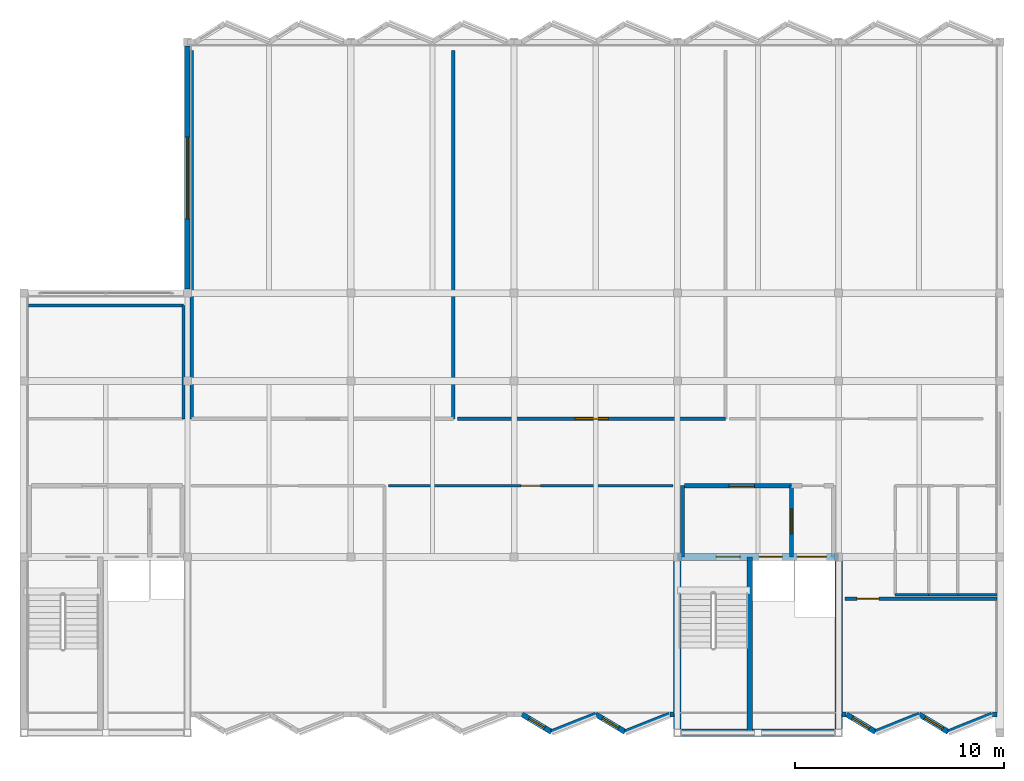
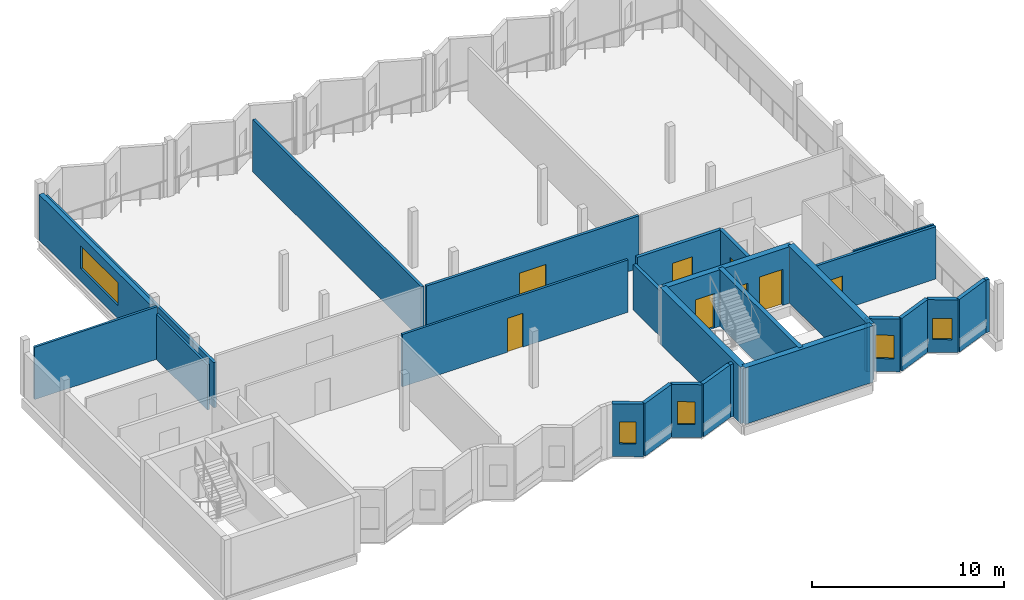
# One storey, part 5 of 11: 30 walls, 8 doors, 5 windows, 13 openings.
"""IFC4 building model written with IfcOpenShell, lengths in metres."""

from ifc_helpers import new_model, si_unit, direction, frame, frame_2d, origin, place, context, subcontext, project, spatial, rectangle, extrude, material, layer, layer_set, type_object, element, fill, save


model = new_model("IFC4")

# Units and contexts
model_context = context("Model", 3, precision=1e-05, world=origin(), true_north=direction((0.0, 1.0)))
body_context = subcontext(model_context, "Body", "Model", "MODEL_VIEW")
ifc_project = project(units=[si_unit("LENGTHUNIT", "METRE"), si_unit("AREAUNIT", "SQUARE_METRE"), si_unit("VOLUMEUNIT", "CUBIC_METRE"), si_unit("PLANEANGLEUNIT", "RADIAN"), si_unit("MASSUNIT", "GRAM", prefix="KILO")], contexts=[model_context])

# Site, building, storey
site_placement = place(None, origin())
site = spatial("IfcSite", under=ifc_project, at=site_placement, CompositionType="ELEMENT")
building_placement = place(site_placement, origin())
building = spatial("IfcBuilding", under=site, at=building_placement, Name="Vharandega Faculty of Natural Sciences", CompositionType="ELEMENT")
storey_placement = place(building_placement, frame((0.0, 0.0, 36.0)))
storey = spatial("IfcBuildingStorey", under=building, at=storey_placement, Name="L09", CompositionType="ELEMENT", Elevation=36.0)

# Walls
ifc_material_1 = material(Name="Concrete C40/50", Category="concrete")
ifc_layer_1 = layer(ifc_material_1, 0.35009765625, Name="Concrete C40/50")
ifc_layer_set_1 = layer_set([ifc_layer_1], Name="Concrete C40/50")
wall_type_1 = type_object("IfcWallType", Name="Core Shear Wall 350", PredefinedType="SHEAR", material=ifc_layer_set_1)
wall_1_placement = place(storey_placement, frame((146.0, 64.0, 0.0), z_axis=(0.0, 0.0, 1.0), x_axis=(1.0, 0.0, 0.0)))
element("IfcWall", 1, at=wall_1_placement, inside=storey, type_object=wall_type_1, Name="Interior Wall CW-C2-L09-S", PredefinedType="SHEAR", context=body_context, shape_type="SweptSolid", body=[
    extrude(rectangle(XDim=7.699951171875, YDim=0.35009765625, at=frame_2d((3.85009765625, 0.0))), origin(), (0.0, 0.0, 1.0), 3.60009765625),
])
for number, where, z_axis, x_axis, name in (
    (2, (146.0, 64.0, 0.0), (0.0, 0.0, 1.0), (0.0, 1.0, 0.0), "Interior Wall CW-C2-L09-W"),
    (3, (153.699951171875, 64.0, 0.0), (0.0, 0.0, 1.0), (0.0, 1.0, 0.0), "Interior Wall CW-C2-L09-E"),
):
    element("IfcWall", number, at=place(storey_placement, frame(where, z_axis=z_axis, x_axis=x_axis)), inside=storey, type_object=wall_type_1, Name=name, PredefinedType="SHEAR", context=body_context, shape_type="SweptSolid", body=[
        extrude(rectangle(XDim=8.39990234375, YDim=0.35009765625, at=frame_2d((4.199951171875, 0.0))), origin(), (0.0, 0.0, 1.0), 3.60009765625),
    ])

# Wall, openings, doors
wall_2_placement = place(storey_placement, frame((146.0, 72.39990234375, 0.0), z_axis=(0.0, 0.0, 1.0), x_axis=(1.0, 0.0, 0.0)))
wall_2 = element("IfcWall", 4, at=wall_2_placement, inside=storey, type_object=wall_type_1, Name="Interior Wall CW-C2-L09-N", PredefinedType="SHEAR", context=body_context, shape_type="SweptSolid", body=[
    extrude(rectangle(XDim=7.699951171875, YDim=0.35009765625, at=frame_2d((3.85009765625, 0.0))), origin(), (0.0, 0.0, 1.0), 3.60009765625),
])
opening_1_placement = place(wall_2_placement, frame((1.85009765625, 0.0, 0.0)))
opening_1 = element("IfcOpeningElement", 5, at=opening_1_placement, cuts=wall_2, Name="Opening FD1", PredefinedType="OPENING", context=body_context, shape_type="SweptSolid", body=[
    extrude(rectangle(XDim=1.14990234375, YDim=2.199951171875, at=frame_2d((0.574951171875, 1.10009765625))), frame((0.0, 0.18505859375, 0.0), z_axis=(0.0, -1.0, 0.0), x_axis=(1.0, 0.0, 0.0)), (0.0, 0.0, 1.0), 0.3701171875),
])
opening_2_placement = place(wall_2_placement, frame((3.89990234375, 0.0, 0.0)))
opening_2 = element("IfcOpeningElement", 6, at=opening_2_placement, cuts=wall_2, Name="Opening LD-FL2-L09", PredefinedType="OPENING", context=body_context, shape_type="SweptSolid", body=[
    extrude(rectangle(XDim=1.10009765625, YDim=2.14990234375, at=frame_2d((0.550048828125, 1.074951171875))), frame((0.0, 0.18505859375, 0.0), z_axis=(0.0, -1.0, 0.0), x_axis=(1.0, 0.0, 0.0)), (0.0, 0.0, 1.0), 0.3701171875),
])
opening_3_placement = place(wall_2_placement, frame((5.719970703125, 0.0, 0.0)))
opening_3 = element("IfcOpeningElement", 7, at=opening_3_placement, cuts=wall_2, Name="Opening LD-LG1-L09", PredefinedType="OPENING", context=body_context, shape_type="SweptSolid", body=[
    extrude(rectangle(XDim=1.39990234375, YDim=2.300048828125, at=frame_2d((0.699951171875, 1.14990234375))), frame((0.0, 0.18505859375, 0.0), z_axis=(0.0, -1.0, 0.0), x_axis=(1.0, 0.0, 0.0)), (0.0, 0.0, 1.0), 0.3701171875),
])
ifc_material_2 = material(Name="Solid-core hardwood timber fire door", Category="wood")
door_type_1 = type_object("IfcDoorType", Name="FD1-STAIR-1150x2200", OperationType="NOTDEFINED", PredefinedType="DOOR", material=ifc_material_2)
door_1_placement = place(opening_1_placement, origin())
door_1 = element("IfcDoor", 8, at=door_1_placement, inside=storey, type_object=door_type_1, Name="Stair ST2 Fire Door FD1", OperationType="SINGLE_SWING_LEFT", OverallHeight=2.199951171875, OverallWidth=1.14990234375, PredefinedType="DOOR", context=body_context, shape_type="SweptSolid", body=[
    extrude(rectangle(XDim=1.14990234375, YDim=2.199951171875, at=frame_2d((0.574951171875, 1.10009765625))), frame((0.0, 0.02490234375, 0.0), z_axis=(0.0, -1.0, 0.0), x_axis=(1.0, 0.0, 0.0)), (0.0, 0.0, 1.0), 0.050048828125),
])
fill(opening_1, door_1)
ifc_material_3 = material(Name="Brushed stainless steel sliding landing door", Category="steel")
door_type_2 = type_object("IfcDoorType", Name="LD1-FFLIFT-SLIDING-1100x2150", OperationType="DOUBLE_DOOR_SLIDING", PredefinedType="DOOR", material=ifc_material_3)
door_2_placement = place(opening_2_placement, origin())
door_2 = element("IfcDoor", 9, at=door_2_placement, inside=storey, type_object=door_type_2, Name="Lift Landing Door LD-FL2-L09", OperationType="DOUBLE_DOOR_SLIDING", OverallHeight=2.14990234375, OverallWidth=1.10009765625, PredefinedType="DOOR", context=body_context, shape_type="SweptSolid", body=[
    extrude(rectangle(XDim=1.10009765625, YDim=2.14990234375, at=frame_2d((0.550048828125, 1.074951171875))), frame((0.0, 0.02490234375, 0.0), z_axis=(0.0, -1.0, 0.0), x_axis=(1.0, 0.0, 0.0)), (0.0, 0.0, 1.0), 0.050048828125),
])
fill(opening_2, door_2)
ifc_material_4 = material(Name="Brushed stainless steel sliding landing door", Category="steel")
door_type_3 = type_object("IfcDoorType", Name="LD3-GOODSLIFT-SLIDING-1400x2300", OperationType="DOUBLE_DOOR_SLIDING", PredefinedType="DOOR", material=ifc_material_4)
door_3_placement = place(opening_3_placement, origin())
door_3 = element("IfcDoor", 10, at=door_3_placement, inside=storey, type_object=door_type_3, Name="Lift Landing Door LD-LG1-L09", OperationType="DOUBLE_DOOR_SLIDING", OverallHeight=2.300048828125, OverallWidth=1.39990234375, PredefinedType="DOOR", context=body_context, shape_type="SweptSolid", body=[
    extrude(rectangle(XDim=1.39990234375, YDim=2.300048828125, at=frame_2d((0.699951171875, 1.14990234375))), frame((0.0, 0.02490234375, 0.0), z_axis=(0.0, -1.0, 0.0), x_axis=(1.0, 0.0, 0.0)), (0.0, 0.0, 1.0), 0.050048828125),
])
fill(opening_3, door_3)

# Wall, opening, door
ifc_material_5 = material(Name="Concrete C40/50", Category="concrete")
ifc_layer_2 = layer(ifc_material_5, 0.199951171875, Name="Concrete C40/50")
ifc_layer_set_2 = layer_set([ifc_layer_2], Name="Concrete C40/50")
wall_type_2 = type_object("IfcWallType", Name="Firefighting Lobby Wall 200", PredefinedType="PARTITIONING", material=ifc_layer_set_2)
wall_3_placement = place(storey_placement, frame((146.35009765625, 75.800048828125, 0.0), z_axis=(0.0, 0.0, 1.0), x_axis=(1.0, 0.0, 0.0)))
wall_3 = element("IfcWall", 11, at=wall_3_placement, inside=storey, type_object=wall_type_2, Name="Interior Wall PW-FFL-C2-L09-N", PredefinedType="PARTITIONING", context=body_context, shape_type="SweptSolid", body=[
    extrude(rectangle(XDim=5.099853515625, YDim=0.199951171875, at=frame_2d((2.5498046875, 0.0))), origin(), (0.0, 0.0, 1.0), 3.320068359375),
])
opening_4_placement = place(wall_3_placement, frame((2.125, 0.0, 0.0)))
opening_4 = element("IfcOpeningElement", 12, at=opening_4_placement, cuts=wall_3, Name="Opening FD2", PredefinedType="OPENING", context=body_context, shape_type="SweptSolid", body=[
    extrude(rectangle(XDim=1.199951171875, YDim=2.199951171875, at=frame_2d((0.60009765625, 1.10009765625))), frame((0.0, 0.10986328125, 0.0), z_axis=(0.0, -1.0, 0.0), x_axis=(1.0, 0.0, 0.0)), (0.0, 0.0, 1.0), 0.219970703125),
])
ifc_material_6 = material(Name="Solid-core hardwood timber fire door", Category="wood")
door_type_4 = type_object("IfcDoorType", Name="FD2-FFLOBBY-1200x2200", OperationType="NOTDEFINED", PredefinedType="DOOR", material=ifc_material_6)
door_4_placement = place(opening_4_placement, origin())
door_4 = element("IfcDoor", 13, at=door_4_placement, inside=storey, type_object=door_type_4, Name="Firefighting Lobby C2 Door FD2", OperationType="SINGLE_SWING_LEFT", OverallHeight=2.199951171875, OverallWidth=1.199951171875, PredefinedType="DOOR", context=body_context, shape_type="SweptSolid", body=[
    extrude(rectangle(XDim=1.199951171875, YDim=2.199951171875, at=frame_2d((0.60009765625, 1.10009765625))), frame((0.0, 0.02490234375, 0.0), z_axis=(0.0, -1.0, 0.0), x_axis=(1.0, 0.0, 0.0)), (0.0, 0.0, 1.0), 0.050048828125),
])
fill(opening_4, door_4)

# Wall
wall_4_placement = place(storey_placement, frame((146.25, 72.39990234375, 0.0), z_axis=(0.0, 0.0, 1.0), x_axis=(0.0, 1.0, 0.0)))
element("IfcWall", 14, at=wall_4_placement, inside=storey, type_object=wall_type_2, Name="Interior Wall PW-FFL-C2-L09-W", PredefinedType="PARTITIONING", context=body_context, shape_type="SweptSolid", body=[
    extrude(rectangle(XDim=3.400146484375, YDim=0.199951171875, at=frame_2d((1.7001953125, 0.0))), origin(), (0.0, 0.0, 1.0), 2.8798828125),
])

# Wall, opening, door
wall_5_placement = place(storey_placement, frame((151.449951171875, 72.39990234375, 0.0), z_axis=(0.0, 0.0, 1.0), x_axis=(0.0, 1.0, 0.0)))
wall_5 = element("IfcWall", 15, at=wall_5_placement, inside=storey, type_object=wall_type_2, Name="Interior Wall PW-FFL-C2-L09-E", PredefinedType="PARTITIONING", context=body_context, shape_type="SweptSolid", body=[
    extrude(rectangle(XDim=3.400146484375, YDim=0.199951171875, at=frame_2d((1.7001953125, 0.0))), origin(), (0.0, 0.0, 1.0), 3.320068359375),
])
opening_5_placement = place(wall_5_placement, frame((1.10009765625, 0.0, 0.0)))
opening_5 = element("IfcOpeningElement", 16, at=opening_5_placement, cuts=wall_5, Name="Opening FD2", PredefinedType="OPENING", context=body_context, shape_type="SweptSolid", body=[
    extrude(rectangle(XDim=1.199951171875, YDim=2.199951171875, at=frame_2d((0.60009765625, 1.10009765625))), frame((0.0, 0.10986328125, 0.0), z_axis=(0.0, -1.0, 0.0), x_axis=(1.0, 0.0, 0.0)), (0.0, 0.0, 1.0), 0.219970703125),
])
door_5_placement = place(opening_5_placement, origin())
door_5 = element("IfcDoor", 17, at=door_5_placement, inside=storey, type_object=door_type_4, Name="Lobby Interconnect C2 Door FD2", OperationType="SINGLE_SWING_RIGHT", OverallHeight=2.199951171875, OverallWidth=1.199951171875, PredefinedType="DOOR", context=body_context, shape_type="SweptSolid", body=[
    extrude(rectangle(XDim=1.199951171875, YDim=2.199951171875, at=frame_2d((0.60009765625, 1.10009765625))), frame((0.0, 0.02490234375, 0.0), z_axis=(0.0, -1.0, 0.0), x_axis=(1.0, 0.0, 0.0)), (0.0, 0.0, 1.0), 0.050048828125),
])
fill(opening_5, door_5)

ifc_material_7 = material(Name="Gypsum fire-board on steel stud", Category="steel")
ifc_layer_3 = layer(ifc_material_7, 0.159912109375, Name="Gypsum fire-board on steel stud")
ifc_layer_set_3 = layer_set([ifc_layer_3], Name="Gypsum fire-board on steel stud")
wall_type_3 = type_object("IfcWallType", Name="Laboratory Fire Corridor Wall 160", PredefinedType="PARTITIONING", material=ifc_layer_set_3)
wall_6_placement = place(storey_placement, frame((154.0, 70.39990234375, 0.0), z_axis=(0.0, 0.0, 1.0), x_axis=(1.0, 0.0, 0.0)))
wall_6 = element("IfcWall", 18, at=wall_6_placement, inside=storey, type_object=wall_type_3, Name="Interior Wall PW-L09-R07N", PredefinedType="PARTITIONING", context=body_context, shape_type="SweptSolid", body=[
    extrude(rectangle(XDim=7.260009765625, YDim=0.159912109375, at=frame_2d((3.6298828125, 0.0))), origin(), (0.0, 0.0, 1.0), 3.340087890625),
])
opening_6_placement = place(wall_6_placement, frame((0.574951171875, 0.0, 0.0)))
opening_6 = element("IfcOpeningElement", 19, at=opening_6_placement, cuts=wall_6, Name="Opening FD4", PredefinedType="OPENING", context=body_context, shape_type="SweptSolid", body=[
    extrude(rectangle(XDim=1.050048828125, YDim=2.14990234375, at=frame_2d((0.52490234375, 1.074951171875))), frame((0.0, 0.08984375, 0.0), z_axis=(0.0, -1.0, 0.0), x_axis=(1.0, 0.0, 0.0)), (0.0, 0.0, 1.0), 0.179931640625),
])
ifc_material_8 = material(Name="Solid-core hardwood timber fire door", Category="wood")
door_type_5 = type_object("IfcDoorType", Name="FD4-LAB-SGL-1050x2150", OperationType="NOTDEFINED", PredefinedType="DOOR", material=ifc_material_8)
door_6_placement = place(opening_6_placement, origin())
door_6 = element("IfcDoor", 20, at=door_6_placement, inside=storey, type_object=door_type_5, Name="L09 Laboratory Reagent Store Door FD4", OperationType="SINGLE_SWING_LEFT", OverallHeight=2.14990234375, OverallWidth=1.050048828125, PredefinedType="DOOR", context=body_context, shape_type="SweptSolid", body=[
    extrude(rectangle(XDim=1.050048828125, YDim=2.14990234375, at=frame_2d((0.52490234375, 1.074951171875))), frame((0.0, 0.02490234375, 0.0), z_axis=(0.0, -1.0, 0.0), x_axis=(1.0, 0.0, 0.0)), (0.0, 0.0, 1.0), 0.050048828125),
])
fill(opening_6, door_6)

# Walls
wall_7_placement = place(storey_placement, frame((122.800048828125, 79.0, 0.0), z_axis=(0.0, 0.0, 1.0), x_axis=(0.0, 1.0, 0.0)))
element("IfcWall", 21, at=wall_7_placement, inside=storey, type_object=wall_type_3, Name="Interior Wall PW-L09-R08W", PredefinedType="PARTITIONING", context=body_context, shape_type="SweptSolid", body=[
    extrude(rectangle(XDim=17.60009765625, YDim=0.159912109375, at=frame_2d((8.800048828125, 0.0))), origin(), (0.0, 0.0, 1.0), 2.8798828125),
])
wall_8_placement = place(storey_placement, frame((135.300048828125, 79.0, 0.0), z_axis=(0.0, 0.0, 1.0), x_axis=(0.0, 1.0, 0.0)))
element("IfcWall", 22, at=wall_8_placement, inside=storey, type_object=wall_type_3, Name="Interior Wall PW-L09-R08E", PredefinedType="PARTITIONING", context=body_context, shape_type="SweptSolid", body=[
    extrude(rectangle(XDim=17.60009765625, YDim=0.159912109375, at=frame_2d((8.800048828125, 0.0))), origin(), (0.0, 0.0, 1.0), 3.340087890625),
])

# Wall, opening, door
wall_9_placement = place(storey_placement, frame((135.5, 79.0, 0.0), z_axis=(0.0, 0.0, 1.0), x_axis=(1.0, 0.0, 0.0)))
wall_9 = element("IfcWall", 23, at=wall_9_placement, inside=storey, type_object=wall_type_3, Name="Interior Wall PW-L09-R09S", PredefinedType="PARTITIONING", context=body_context, shape_type="SweptSolid", body=[
    extrude(rectangle(XDim=12.800048828125, YDim=0.159912109375, at=frame_2d((6.39990234375, 0.0))), origin(), (0.0, 0.0, 1.0), 3.340087890625),
])
opening_7_placement = place(wall_9_placement, frame((5.60009765625, 0.0, 0.0)))
opening_7 = element("IfcOpeningElement", 24, at=opening_7_placement, cuts=wall_9, Name="Opening FD3", PredefinedType="OPENING", context=body_context, shape_type="SweptSolid", body=[
    extrude(rectangle(XDim=1.60009765625, YDim=2.199951171875, at=frame_2d((0.800048828125, 1.10009765625))), frame((0.0, 0.08984375, 0.0), z_axis=(0.0, -1.0, 0.0), x_axis=(1.0, 0.0, 0.0)), (0.0, 0.0, 1.0), 0.179931640625),
])
ifc_material_9 = material(Name="Solid-core hardwood timber fire door", Category="wood")
door_type_6 = type_object("IfcDoorType", Name="FD3-LAB-DBL-1600x2200", OperationType="DOUBLE_DOOR_SINGLE_SWING", PredefinedType="DOOR", material=ifc_material_9)
door_7_placement = place(opening_7_placement, origin())
door_7 = element("IfcDoor", 25, at=door_7_placement, inside=storey, type_object=door_type_6, Name="Plant Physiology Growth-Chamber Laboratory Door FD3", OperationType="DOUBLE_DOOR_SINGLE_SWING", OverallHeight=2.199951171875, OverallWidth=1.60009765625, PredefinedType="DOOR", context=body_context, shape_type="SweptSolid", body=[
    extrude(rectangle(XDim=1.60009765625, YDim=2.199951171875, at=frame_2d((0.800048828125, 1.10009765625))), frame((0.0, 0.02490234375, 0.0), z_axis=(0.0, -1.0, 0.0), x_axis=(1.0, 0.0, 0.0)), (0.0, 0.0, 1.0), 0.050048828125),
])
fill(opening_7, door_7)

# Walls
ifc_material_10 = material(Name="Concrete C40/50", Category="concrete")
ifc_layer_4 = layer(ifc_material_10, 0.260009765625, Name="Concrete C40/50")
ifc_layer_set_4 = layer_set([ifc_layer_4], Name="Concrete C40/50")
wall_type_4 = type_object("IfcWallType", Name="Lift Shaft Shear Wall 260", PredefinedType="SHEAR", material=ifc_layer_set_4)
wall_10_placement = place(storey_placement, frame((149.4599609375, 64.0, 0.0), z_axis=(0.0, 0.0, 1.0), x_axis=(0.0, 1.0, 0.0)))
element("IfcWall", 26, at=wall_10_placement, inside=storey, type_object=wall_type_4, Name="Interior Wall CW-C2-L09-DIV", PredefinedType="SHEAR", context=body_context, shape_type="SweptSolid", body=[
    extrude(rectangle(XDim=8.39990234375, YDim=0.260009765625, at=frame_2d((4.199951171875, 0.0))), origin(), (0.0, 0.0, 1.0), 3.60009765625),
])
ifc_material_11 = material(Name="Gypsum acoustic partition", Category="gypsum")
ifc_layer_5 = layer(ifc_material_11, 0.139892578125, Name="Gypsum acoustic partition")
ifc_layer_set_5 = layer_set([ifc_layer_5], Name="Gypsum acoustic partition")
wall_type_5 = type_object("IfcWallType", Name="Room Partition Wall 140", PredefinedType="PARTITIONING", material=ifc_layer_set_5)
wall_11_placement = place(storey_placement, frame((115.0, 84.39990234375, 0.0), z_axis=(0.0, 0.0, 1.0), x_axis=(1.0, 0.0, 0.0)))
element("IfcWall", 27, at=wall_11_placement, inside=storey, type_object=wall_type_5, Name="Interior Wall PW-L09-R01N", PredefinedType="PARTITIONING", context=body_context, shape_type="SweptSolid", body=[
    extrude(rectangle(XDim=7.39990234375, YDim=0.139892578125, at=frame_2d((3.699951171875, 0.0))), origin(), (0.0, 0.0, 1.0), 3.340087890625),
])
wall_12_placement = place(storey_placement, frame((122.39990234375, 79.0, 0.0), z_axis=(0.0, 0.0, 1.0), x_axis=(0.0, 1.0, 0.0)))
element("IfcWall", 28, at=wall_12_placement, inside=storey, type_object=wall_type_5, Name="Interior Wall PW-L09-R01E", PredefinedType="PARTITIONING", context=body_context, shape_type="SweptSolid", body=[
    extrude(rectangle(XDim=5.39990234375, YDim=0.139892578125, at=frame_2d((2.699951171875, 0.0))), origin(), (0.0, 0.0, 1.0), 2.8798828125),
])

# Wall, opening, door
wall_13_placement = place(storey_placement, frame((132.199951171875, 75.800048828125, 0.0), z_axis=(0.0, 0.0, 1.0), x_axis=(1.0, 0.0, 0.0)))
wall_13 = element("IfcWall", 29, at=wall_13_placement, inside=storey, type_object=wall_type_5, Name="Interior Wall PW-L09-R03N", PredefinedType="PARTITIONING", context=body_context, shape_type="SweptSolid", body=[
    extrude(rectangle(XDim=13.60009765625, YDim=0.139892578125, at=frame_2d((6.800048828125, 0.0))), origin(), (0.0, 0.0, 1.0), 3.340087890625),
])
opening_8_placement = place(wall_13_placement, frame((6.340087890625, 0.0, 0.0)))
opening_8 = element("IfcOpeningElement", 30, at=opening_8_placement, cuts=wall_13, Name="Opening D0364", PredefinedType="OPENING", context=body_context, shape_type="SweptSolid", body=[
    extrude(rectangle(XDim=0.919921875, YDim=2.14990234375, at=frame_2d((0.4599609375, 1.074951171875))), frame((0.0, 0.080078125, 0.0), z_axis=(0.0, -1.0, 0.0), x_axis=(1.0, 0.0, 0.0)), (0.0, 0.0, 1.0), 0.159912109375),
])
ifc_material_12 = material(Name="Solid-core hardwood timber fire door", Category="wood")
door_type_7 = type_object("IfcDoorType", Name="ID05-OFFICE-0920x2150", OperationType="NOTDEFINED", PredefinedType="DOOR", material=ifc_material_12)
door_8_placement = place(opening_8_placement, origin())
door_8 = element("IfcDoor", 31, at=door_8_placement, inside=storey, type_object=door_type_7, Name="Natural-Sciences Seminar Room 901 Door D0364", OperationType="SINGLE_SWING_LEFT", OverallHeight=2.14990234375, OverallWidth=0.919921875, PredefinedType="DOOR", context=body_context, shape_type="SweptSolid", body=[
    extrude(rectangle(XDim=0.919921875, YDim=2.14990234375, at=frame_2d((0.4599609375, 1.074951171875))), frame((0.0, 0.02490234375, 0.0), z_axis=(0.0, -1.0, 0.0), x_axis=(1.0, 0.0, 0.0)), (0.0, 0.0, 1.0), 0.050048828125),
])
fill(opening_8, door_8)

# Walls
ifc_material_13 = material(Name="Moisture-resistant gypsum partition", Category="gypsum")
ifc_layer_6 = layer(ifc_material_13, 0.1201171875, Name="Moisture-resistant gypsum partition")
ifc_layer_set_6 = layer_set([ifc_layer_6], Name="Moisture-resistant gypsum partition")
wall_type_6 = type_object("IfcWallType", Name="Sanitary Wet Wall 120", PredefinedType="PARTITIONING", material=ifc_layer_set_6)
wall_14_placement = place(storey_placement, frame((156.39990234375, 70.60009765625, 0.0), z_axis=(0.0, 0.0, 1.0), x_axis=(1.0, 0.0, 0.0)))
element("IfcWall", 32, at=wall_14_placement, inside=storey, type_object=wall_type_6, Name="Interior Wall PW-L09-R04S", PredefinedType="PARTITIONING", context=body_context, shape_type="SweptSolid", body=[
    extrude(rectangle(XDim=1.60009765625, YDim=0.1201171875, at=frame_2d((0.800048828125, 0.0))), origin(), (0.0, 0.0, 1.0), 3.340087890625),
])
wall_15_placement = place(storey_placement, frame((158.0, 70.60009765625, 0.0), z_axis=(0.0, 0.0, 1.0), x_axis=(1.0, 0.0, 0.0)))
element("IfcWall", 33, at=wall_15_placement, inside=storey, type_object=wall_type_6, Name="Interior Wall PW-L09-R05S", PredefinedType="PARTITIONING", context=body_context, shape_type="SweptSolid", body=[
    extrude(rectangle(XDim=1.39990234375, YDim=0.1201171875, at=frame_2d((0.699951171875, 0.0))), origin(), (0.0, 0.0, 1.0), 3.340087890625),
])
wall_16_placement = place(storey_placement, frame((159.39990234375, 70.60009765625, 0.0), z_axis=(0.0, 0.0, 1.0), x_axis=(1.0, 0.0, 0.0)))
element("IfcWall", 34, at=wall_16_placement, inside=storey, type_object=wall_type_6, Name="Interior Wall PW-L09-R06S", PredefinedType="PARTITIONING", context=body_context, shape_type="SweptSolid", body=[
    extrude(rectangle(XDim=1.860107421875, YDim=0.1201171875, at=frame_2d((0.93017578125, 0.0))), origin(), (0.0, 0.0, 1.0), 3.340087890625),
])

# Wall, opening, window
ifc_material_14 = material(Name="Precast concrete C40/50", Category="concrete")
ifc_layer_7 = layer(ifc_material_14, 0.25, Name="Precast concrete C40/50")
ifc_layer_set_7 = layer_set([ifc_layer_7], Name="Precast concrete C40/50")
wall_type_7 = type_object("IfcWallType", Name="Sawtooth Glazed-Face Precast Wall 250", PredefinedType="SOLIDWALL", material=ifc_layer_set_7)
wall_17_placement = place(storey_placement, frame((139.988037109375, 64.0400390625, 0.0), z_axis=(0.0, 0.0, 1.0), x_axis=(-0.858817206091, 0.512282155185, 0.0)))
wall_17 = element("IfcWall", 35, at=wall_17_placement, inside=storey, type_object=wall_type_7, Name="Exterior Wall EW-SAW-L09-S05G", PredefinedType="SOLIDWALL", context=body_context, shape_type="SweptSolid", body=[
    extrude(rectangle(XDim=1.639404296875, YDim=0.25, at=frame_2d((0.81982421875, 0.0))), origin(), (0.0, 0.0, 1.0), 3.360107421875),
])
opening_9_placement = place(wall_17_placement, frame((0.394775390625, 0.0, 0.820068359375)))
opening_9 = element("IfcOpeningElement", 36, at=opening_9_placement, cuts=wall_17, Name="Opening WN-02", PredefinedType="OPENING", context=body_context, shape_type="SweptSolid", body=[
    extrude(rectangle(XDim=0.85009765625, YDim=1.39990234375, at=frame_2d((0.425048828125, 0.699951171875))), frame((0.0, 0.135009765625, 0.0), z_axis=(0.0, -1.0, 0.0), x_axis=(1.0, 0.0, 0.0)), (0.0, 0.0, 1.0), 0.27001953125),
])
ifc_material_15 = material(Name="Double-glazed solar-control glass in thermally broken aluminium frame", Category="aluminium")
window_type_1 = type_object("IfcWindowType", Name="WIN-SAW-085x140", PartitioningType="SINGLE_PANEL", PredefinedType="WINDOW", material=ifc_material_15)
window_1_placement = place(opening_9_placement, origin())
window_1 = element("IfcWindow", 37, at=window_1_placement, inside=storey, type_object=window_type_1, Name="Window WIN-L09-0103", OverallHeight=1.39990234375, OverallWidth=0.85009765625, PartitioningType="SINGLE_PANEL", PredefinedType="WINDOW", context=body_context, shape_type="SweptSolid", body=[
    extrude(rectangle(XDim=0.85009765625, YDim=1.39990234375, at=frame_2d((0.425048828125, 0.699951171875))), frame((0.0, 0.030029296875, 0.0), z_axis=(0.0, -1.0, 0.0), x_axis=(1.0, 0.0, 0.0)), (0.0, 0.0, 1.0), 0.06005859375),
])
fill(opening_9, window_1)

wall_18_placement = place(storey_placement, frame((143.508056640625, 64.0400390625, 0.0), z_axis=(0.0, 0.0, 1.0), x_axis=(-0.858817206091, 0.512282155185, 0.0)))
wall_18 = element("IfcWall", 38, at=wall_18_placement, inside=storey, type_object=wall_type_7, Name="Exterior Wall EW-SAW-L09-S06G", PredefinedType="SOLIDWALL", context=body_context, shape_type="SweptSolid", body=[
    extrude(rectangle(XDim=1.639404296875, YDim=0.25, at=frame_2d((0.81982421875, 0.0))), origin(), (0.0, 0.0, 1.0), 3.360107421875),
])
opening_10_placement = place(wall_18_placement, frame((0.369873046875, 0.0, 0.820068359375)))
opening_10 = element("IfcOpeningElement", 39, at=opening_10_placement, cuts=wall_18, Name="Opening WN-03", PredefinedType="OPENING", context=body_context, shape_type="SweptSolid", body=[
    extrude(rectangle(XDim=0.89990234375, YDim=1.449951171875, at=frame_2d((0.449951171875, 0.72509765625))), frame((0.0, 0.135009765625, 0.0), z_axis=(0.0, -1.0, 0.0), x_axis=(1.0, 0.0, 0.0)), (0.0, 0.0, 1.0), 0.27001953125),
])
ifc_material_16 = material(Name="Double-glazed solar-control glass in thermally broken aluminium frame", Category="aluminium")
window_type_2 = type_object("IfcWindowType", Name="WIN-SAW-090x145", PartitioningType="SINGLE_PANEL", PredefinedType="WINDOW", material=ifc_material_16)
window_2_placement = place(opening_10_placement, origin())
window_2 = element("IfcWindow", 40, at=window_2_placement, inside=storey, type_object=window_type_2, Name="Window WIN-L09-0104", OverallHeight=1.449951171875, OverallWidth=0.89990234375, PartitioningType="SINGLE_PANEL", PredefinedType="WINDOW", context=body_context, shape_type="SweptSolid", body=[
    extrude(rectangle(XDim=0.89990234375, YDim=1.449951171875, at=frame_2d((0.449951171875, 0.72509765625))), frame((0.0, 0.030029296875, 0.0), z_axis=(0.0, -1.0, 0.0), x_axis=(1.0, 0.0, 0.0)), (0.0, 0.0, 1.0), 0.06005859375),
])
fill(opening_10, window_2)

wall_19_placement = place(storey_placement, frame((155.468017578125, 64.0400390625, 0.0), z_axis=(0.0, 0.0, 1.0), x_axis=(-0.855561475997, 0.51770122734, 0.0)))
wall_19 = element("IfcWall", 41, at=wall_19_placement, inside=storey, type_object=wall_type_7, Name="Exterior Wall EW-SAW-L09-S07G", PredefinedType="SOLIDWALL", context=body_context, shape_type="SweptSolid", body=[
    extrude(rectangle(XDim=1.622314453125, YDim=0.25, at=frame_2d((0.81103515625, 0.0))), origin(), (0.0, 0.0, 1.0), 3.360107421875),
])
opening_11_placement = place(wall_19_placement, frame((0.336181640625, 0.0, 0.820068359375)))
opening_11 = element("IfcOpeningElement", 42, at=opening_11_placement, cuts=wall_19, Name="Opening WN-04", PredefinedType="OPENING", context=body_context, shape_type="SweptSolid", body=[
    extrude(rectangle(XDim=0.949951171875, YDim=1.5, at=frame_2d((0.47509765625, 0.75))), frame((0.0, 0.135009765625, 0.0), z_axis=(0.0, -1.0, 0.0), x_axis=(1.0, 0.0, 0.0)), (0.0, 0.0, 1.0), 0.27001953125),
])
ifc_material_17 = material(Name="Double-glazed solar-control glass in thermally broken aluminium frame", Category="aluminium")
window_type_3 = type_object("IfcWindowType", Name="WIN-SAW-095x150", PartitioningType="SINGLE_PANEL", PredefinedType="WINDOW", material=ifc_material_17)
window_3_placement = place(opening_11_placement, origin())
window_3 = element("IfcWindow", 43, at=window_3_placement, inside=storey, type_object=window_type_3, Name="Window WIN-L09-0105", OverallHeight=1.5, OverallWidth=0.949951171875, PartitioningType="SINGLE_PANEL", PredefinedType="WINDOW", context=body_context, shape_type="SweptSolid", body=[
    extrude(rectangle(XDim=0.949951171875, YDim=1.5, at=frame_2d((0.47509765625, 0.75))), frame((0.0, 0.030029296875, 0.0), z_axis=(0.0, -1.0, 0.0), x_axis=(1.0, 0.0, 0.0)), (0.0, 0.0, 1.0), 0.06005859375),
])
fill(opening_11, window_3)

wall_20_placement = place(storey_placement, frame((158.93798828125, 64.0400390625, 0.0), z_axis=(0.0, 0.0, 1.0), x_axis=(-0.855561475997, 0.51770122734, 0.0)))
wall_20 = element("IfcWall", 44, at=wall_20_placement, inside=storey, type_object=wall_type_7, Name="Exterior Wall EW-SAW-L09-S08G", PredefinedType="SOLIDWALL", context=body_context, shape_type="SweptSolid", body=[
    extrude(rectangle(XDim=1.622314453125, YDim=0.25, at=frame_2d((0.81103515625, 0.0))), origin(), (0.0, 0.0, 1.0), 3.360107421875),
])
opening_12_placement = place(wall_20_placement, frame((0.311279296875, 0.0, 0.820068359375)))
opening_12 = element("IfcOpeningElement", 45, at=opening_12_placement, cuts=wall_20, Name="Opening WN-05", PredefinedType="OPENING", context=body_context, shape_type="SweptSolid", body=[
    extrude(rectangle(XDim=1.0, YDim=1.35009765625, at=frame_2d((0.5, 0.675048828125))), frame((0.0, 0.135009765625, 0.0), z_axis=(0.0, -1.0, 0.0), x_axis=(1.0, 0.0, 0.0)), (0.0, 0.0, 1.0), 0.27001953125),
])
ifc_material_18 = material(Name="Double-glazed solar-control glass in thermally broken aluminium frame", Category="aluminium")
window_type_4 = type_object("IfcWindowType", Name="WIN-SAW-100x135", PartitioningType="SINGLE_PANEL", PredefinedType="WINDOW", material=ifc_material_18)
window_4_placement = place(opening_12_placement, origin())
window_4 = element("IfcWindow", 46, at=window_4_placement, inside=storey, type_object=window_type_4, Name="Window WIN-L09-0106", OverallHeight=1.35009765625, OverallWidth=1.0, PartitioningType="SINGLE_PANEL", PredefinedType="WINDOW", context=body_context, shape_type="SweptSolid", body=[
    extrude(rectangle(XDim=1.0, YDim=1.35009765625, at=frame_2d((0.5, 0.675048828125))), frame((0.0, 0.030029296875, 0.0), z_axis=(0.0, -1.0, 0.0), x_axis=(1.0, 0.0, 0.0)), (0.0, 0.0, 1.0), 0.06005859375),
])
fill(opening_12, window_4)

# Walls
ifc_material_19 = material(Name="Precast concrete C40/50", Category="concrete")
ifc_layer_8 = layer(ifc_material_19, 0.22998046875, Name="Precast concrete C40/50")
ifc_layer_set_8 = layer_set([ifc_layer_8], Name="Precast concrete C40/50")
wall_type_8 = type_object("IfcWallType", Name="Sawtooth Solid White Precast Wall 230", PredefinedType="SOLIDWALL", material=ifc_layer_set_8)
wall_21_placement = place(storey_placement, frame((145.830078125, 64.8798828125, 0.0), z_axis=(0.0, 0.0, 1.0), x_axis=(-1.0, 0.0, 0.0)))
element("IfcWall", 47, at=wall_21_placement, inside=storey, type_object=wall_type_8, Name="Exterior Wall EW-SHL-L09-S1819FR", PredefinedType="SOLIDWALL", context=body_context, shape_type="SweptSolid", body=[
    extrude(rectangle(XDim=0.190185546875, YDim=0.22998046875, at=frame_2d((0.09521484375, 0.0))), origin(), (0.0, 0.0, 1.0), 3.360107421875),
])
wall_22_placement = place(storey_placement, frame((154.050048828125, 64.8798828125, 0.0), z_axis=(0.0, 0.0, 1.0), x_axis=(-1.0, 0.0, 0.0)))
element("IfcWall", 48, at=wall_22_placement, inside=storey, type_object=wall_type_8, Name="Exterior Wall EW-SHL-L09-S2021FL", PredefinedType="SOLIDWALL", context=body_context, shape_type="SweptSolid", body=[
    extrude(rectangle(XDim=0.179931640625, YDim=0.22998046875, at=frame_2d((0.08984375, 0.0))), origin(), (0.0, 0.0, 1.0), 3.360107421875),
])
wall_23_placement = place(storey_placement, frame((161.264892578125, 64.8798828125, 0.0), z_axis=(0.0, 0.0, 1.0), x_axis=(-1.0, 0.0, 0.0)))
element("IfcWall", 49, at=wall_23_placement, inside=storey, type_object=wall_type_8, Name="Exterior Wall EW-SHL-L09-S2021FR", PredefinedType="SOLIDWALL", context=body_context, shape_type="SweptSolid", body=[
    extrude(rectangle(XDim=0.224853515625, YDim=0.22998046875, at=frame_2d((0.1123046875, 0.0))), origin(), (0.0, 0.0, 1.0), 3.360107421875),
])
for number, where, z_axis, x_axis, name in (
    (50, (142.10009765625, 64.8798828125, 0.0), (0.0, 0.0, 1.0), (-0.929230364612, -0.369500919462, 0.0), "Exterior Wall EW-SAW-L09-S05S"),
    (51, (145.6201171875, 64.8798828125, 0.0), (0.0, 0.0, 1.0), (-0.929230364612, -0.369500919462, 0.0), "Exterior Wall EW-SAW-L09-S06S"),
):
    element("IfcWall", number, at=place(storey_placement, frame(where, z_axis=z_axis, x_axis=x_axis)), inside=storey, type_object=wall_type_8, Name=name, PredefinedType="SOLIDWALL", context=body_context, shape_type="SweptSolid", body=[
        extrude(rectangle(XDim=2.27294921875, YDim=0.22998046875, at=frame_2d((1.136474609375, 0.0))), origin(), (0.0, 0.0, 1.0), 3.360107421875),
    ])
for number, where, z_axis, x_axis, name in (
    (52, (157.550048828125, 64.8798828125, 0.0), (0.0, 0.0, 1.0), (-0.927392797001, -0.374089026933, 0.0), "Exterior Wall EW-SAW-L09-S07S"),
    (53, (161.02001953125, 64.8798828125, 0.0), (0.0, 0.0, 1.0), (-0.927392797001, -0.374089026933, 0.0), "Exterior Wall EW-SAW-L09-S08S"),
):
    element("IfcWall", number, at=place(storey_placement, frame(where, z_axis=z_axis, x_axis=x_axis)), inside=storey, type_object=wall_type_8, Name=name, PredefinedType="SOLIDWALL", context=body_context, shape_type="SweptSolid", body=[
        extrude(rectangle(XDim=2.2451171875, YDim=0.22998046875, at=frame_2d((1.12255859375, 0.0))), origin(), (0.0, 0.0, 1.0), 3.360107421875),
    ])

# Wall, opening, window
ifc_material_20 = material(Name="Precast concrete C40/50", Category="concrete")
ifc_layer_9 = layer(ifc_material_20, 0.280029296875, Name="Precast concrete C40/50")
ifc_layer_set_9 = layer_set([ifc_layer_9], Name="Precast concrete C40/50")
wall_type_9 = type_object("IfcWallType", Name="White Precast End Wall 280", PredefinedType="SOLIDWALL", material=ifc_layer_set_9)
wall_24_placement = place(storey_placement, frame((122.60009765625, 85.18798828125, 0.0), z_axis=(0.0, 0.0, 1.0), x_axis=(0.0, 1.0, 0.0)))
wall_24 = element("IfcWall", 54, at=wall_24_placement, inside=storey, type_object=wall_type_9, Name="Exterior Wall EW-L09-V4CW", PredefinedType="SOLIDWALL", context=body_context, shape_type="SweptSolid", body=[
    extrude(rectangle(XDim=11.6240234375, YDim=0.280029296875, at=frame_2d((5.81201171875, 0.0))), origin(), (0.0, 0.0, 1.0), 2.89990234375),
])
opening_13_placement = place(wall_24_placement, frame((3.362060546875, 0.0, 0.820068359375)))
opening_13 = element("IfcOpeningElement", 55, at=opening_13_placement, cuts=wall_24, Name="Opening WN-15B", PredefinedType="OPENING", context=body_context, shape_type="SweptSolid", body=[
    extrude(rectangle(XDim=3.89990234375, YDim=1.449951171875, at=frame_2d((1.949951171875, 0.72509765625))), frame((0.0, 0.14990234375, 0.0), z_axis=(0.0, -1.0, 0.0), x_axis=(1.0, 0.0, 0.0)), (0.0, 0.0, 1.0), 0.300048828125),
])
ifc_material_21 = material(Name="Double-glazed solar-control glass in thermally broken aluminium frame", Category="aluminium")
window_type_5 = type_object("IfcWindowType", Name="WIN-MON-390x145", PartitioningType="DOUBLE_PANEL_VERTICAL", PredefinedType="WINDOW", material=ifc_material_21)
window_5_placement = place(opening_13_placement, origin())
window_5 = element("IfcWindow", 56, at=window_5_placement, inside=storey, type_object=window_type_5, Name="Window WIN-L09-0088", OverallHeight=1.449951171875, OverallWidth=3.89990234375, PartitioningType="SINGLE_PANEL", PredefinedType="WINDOW", context=body_context, shape_type="SweptSolid", body=[
    extrude(rectangle(XDim=3.89990234375, YDim=1.449951171875, at=frame_2d((1.949951171875, 0.72509765625))), frame((0.0, 0.030029296875, 0.0), z_axis=(0.0, -1.0, 0.0), x_axis=(1.0, 0.0, 0.0)), (0.0, 0.0, 1.0), 0.06005859375),
])
fill(opening_13, window_5)

save(model, "model.ifc")
